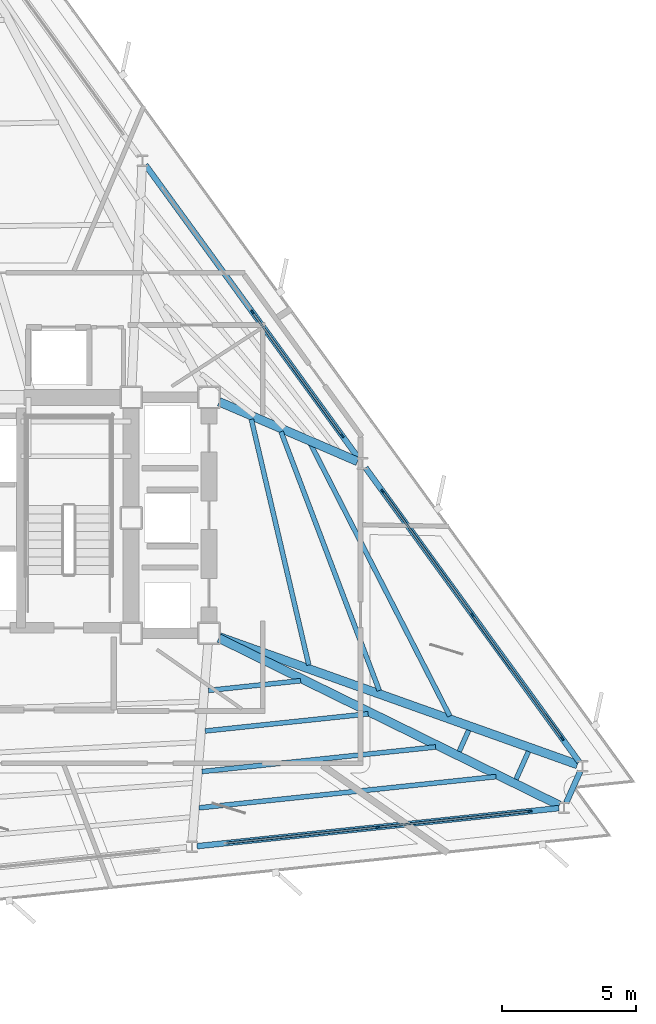
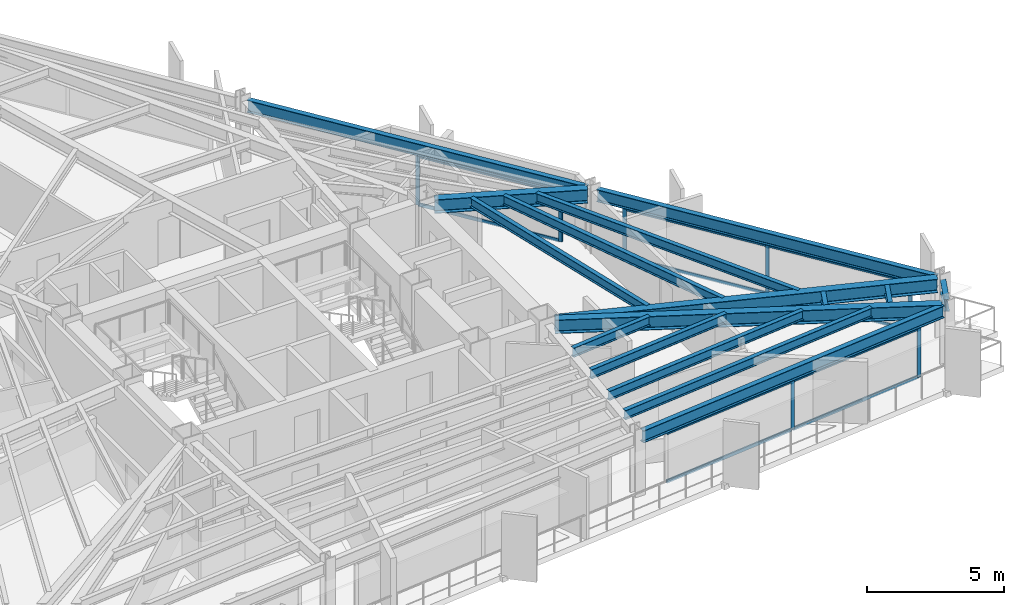
# One storey, part 5 of 12: 17 members, 16 beams, 3 elements without a shape of their own.
"""IFC4 building model written with IfcOpenShell, lengths in metres."""

from ifc_helpers import new_model, si_unit, direction, frame, origin, origin_2d, place, context, subcontext, project, spatial, rectangle, i_section, extrude, material, layer, layer_set, material_profile, profile_set, type_object, element, aggregate, save


model = new_model("IFC4")

# Units and contexts
model_context = context("Model", 3, precision=1e-05, world=origin(), true_north=direction((0.0, 1.0)))
body_context = subcontext(model_context, "Body", "Model", "MODEL_VIEW")
ifc_project = project(units=[si_unit("LENGTHUNIT", "METRE"), si_unit("AREAUNIT", "SQUARE_METRE"), si_unit("VOLUMEUNIT", "CUBIC_METRE"), si_unit("PLANEANGLEUNIT", "RADIAN"), si_unit("MASSUNIT", "GRAM", prefix="KILO")], contexts=[model_context])

# Site, building, storey
site_placement = place(None, origin())
site = spatial("IfcSite", under=ifc_project, at=site_placement, CompositionType="ELEMENT")
building_placement = place(site_placement, origin())
building = spatial("IfcBuilding", under=site, at=building_placement, Name="Rocaltana Carrier Exchange", CompositionType="ELEMENT")
storey_placement = place(building_placement, frame((0.0, 0.0, 113.760009765625)))
storey = spatial("IfcBuildingStorey", under=building, at=storey_placement, Name="L35", CompositionType="ELEMENT", Elevation=113.760009765625)

# Curtain wall, members
ifc_material_1 = material(Name="Aluminium 6063-T6", Category="aluminium")
ifc_layer = layer(ifc_material_1, 0.14990234375)
ifc_layer_set = layer_set([ifc_layer], Name="Aluminium 6063-T6")
curtain_wall_type = type_object("IfcCurtainWallType", Name="Mid-Tower Unitised Curtain Wall CW-03", PredefinedType="NOTDEFINED", material=ifc_layer_set)
curtain_wall_1_placement = place(storey_placement, origin())
curtain_wall_1 = element("IfcCurtainWall", 1, at=curtain_wall_1_placement, inside=storey, type_object=curtain_wall_type, Name="L35 CW-03 Run CW-L35-F1S1", PredefinedType="NOTDEFINED")
ifc_material_2 = material(Name="Aluminium 6063-T6", Category="aluminium")
ifc_material_profile_1 = material_profile(ifc_material_2, rectangle(XDim=0.06005859375, YDim=0.14990234375, at=origin_2d()), Name="AL-60X150")
ifc_profile_set_1 = profile_set([ifc_material_profile_1], Name="Aluminium 6063-T6")
member_type_1 = type_object("IfcMemberType", Name="CW-03 Mullion AL-60X150", PredefinedType="MULLION", material=ifc_profile_set_1)
member_1_placement = place(storey_placement, frame((22.13427734375, -8.23193359375, 0.0), z_axis=(0.0, 0.0, 1.0), x_axis=(-0.809013555195, -0.587789985889, 0.0)))
member_1 = element("IfcMember", 2, at=member_1_placement, type_object=member_type_1, Name="CW-03 mullion 1", PredefinedType="MULLION", context=body_context, shape_type="SweptSolid", body=[
    extrude(rectangle(XDim=0.06005859375, YDim=0.14990234375, at=origin_2d()), origin(), (0.0, 0.0, 1.0), 2.218017578125),
])
member_2_placement = place(storey_placement, frame((18.781982421875, -3.617919921875, 0.0), z_axis=(0.0, 0.0, 1.0), x_axis=(-0.809013555195, -0.587789985889, 0.0)))
member_2 = element("IfcMember", 3, at=member_2_placement, type_object=member_type_1, Name="CW-03 mullion 2", PredefinedType="MULLION", context=body_context, shape_type="SweptSolid", body=[
    extrude(rectangle(XDim=0.06005859375, YDim=0.14990234375, at=origin_2d()), origin(), (0.0, 0.0, 1.0), 2.218017578125),
])
member_3_placement = place(storey_placement, frame((15.429443359375, 0.99609375, 0.0), z_axis=(0.0, 0.0, 1.0), x_axis=(-0.809013555195, -0.587789985889, 0.0)))
member_3 = element("IfcMember", 4, at=member_3_placement, type_object=member_type_1, Name="CW-03 mullion 3", PredefinedType="MULLION", context=body_context, shape_type="SweptSolid", body=[
    extrude(rectangle(XDim=0.06005859375, YDim=0.14990234375, at=origin_2d()), origin(), (0.0, 0.0, 1.0), 2.218017578125),
])

curtain_wall_2_placement = place(storey_placement, origin())
curtain_wall_2 = element("IfcCurtainWall", 5, at=curtain_wall_2_placement, inside=storey, type_object=curtain_wall_type, Name="L35 CW-03 Run CW-L35-F1S2", PredefinedType="NOTDEFINED")
member_4_placement = place(storey_placement, frame((13.9248046875, 3.0673828125, 0.0), z_axis=(0.0, 0.0, 1.0), x_axis=(-0.809013555195, -0.587789985889, 0.0)))
member_4 = element("IfcMember", 6, at=member_4_placement, type_object=member_type_1, Name="CW-03 mullion 1", PredefinedType="MULLION", context=body_context, shape_type="SweptSolid", body=[
    extrude(rectangle(XDim=0.06005859375, YDim=0.14990234375, at=origin_2d()), origin(), (0.0, 0.0, 1.0), 2.218017578125),
])
member_5_placement = place(storey_placement, frame((10.572509765625, 7.681396484375, 0.0), z_axis=(0.0, 0.0, 1.0), x_axis=(-0.809013555195, -0.587789985889, 0.0)))
member_5 = element("IfcMember", 7, at=member_5_placement, type_object=member_type_1, Name="CW-03 mullion 2", PredefinedType="MULLION", context=body_context, shape_type="SweptSolid", body=[
    extrude(rectangle(XDim=0.06005859375, YDim=0.14990234375, at=origin_2d()), origin(), (0.0, 0.0, 1.0), 2.218017578125),
])

curtain_wall_3_placement = place(storey_placement, origin())
curtain_wall_3 = element("IfcCurtainWall", 8, at=curtain_wall_3_placement, inside=storey, type_object=curtain_wall_type, Name="L35 CW-03 Run CW-L35-F3S3", PredefinedType="NOTDEFINED")
member_6_placement = place(storey_placement, frame((15.256103515625, -11.536865234375, 0.0), z_axis=(0.0, 0.0, 1.0), x_axis=(-0.104521806959, 0.994522594952, 0.0)))
member_6 = element("IfcMember", 9, at=member_6_placement, type_object=member_type_1, Name="CW-03 mullion 2", PredefinedType="MULLION", context=body_context, shape_type="SweptSolid", body=[
    extrude(rectangle(XDim=0.06005859375, YDim=0.14990234375, at=origin_2d()), origin(), (0.0, 0.0, 1.0), 2.218017578125),
])
member_7_placement = place(storey_placement, frame((20.92822265625, -10.940673828125, 0.0), z_axis=(0.0, 0.0, 1.0), x_axis=(-0.104521806959, 0.994522594952, 0.0)))
member_7 = element("IfcMember", 10, at=member_7_placement, type_object=member_type_1, Name="CW-03 mullion 3", PredefinedType="MULLION", context=body_context, shape_type="SweptSolid", body=[
    extrude(rectangle(XDim=0.06005859375, YDim=0.14990234375, at=origin_2d()), origin(), (0.0, 0.0, 1.0), 2.218017578125),
])

# Member
ifc_material_3 = material(Name="Aluminium 6063-T6", Category="aluminium")
ifc_material_profile_2 = material_profile(ifc_material_3, rectangle(XDim=0.06005859375, YDim=0.14990234375, at=origin_2d()), Name="AL-60X150")
ifc_profile_set_2 = profile_set([ifc_material_profile_2], Name="Aluminium 6063-T6")
member_type_2 = type_object("IfcMemberType", Name="CW-03 Transom AL-60X150", PredefinedType="USERDEFINED", material=ifc_profile_set_2)
member_8_placement = place(storey_placement, frame((22.11669921875, -8.207763671875, 0.030029296875), z_axis=(-0.587803791035, 0.809003524866, 0.0), x_axis=(-0.809003524866, -0.587803791035, 0.0)))
member_8 = element("IfcMember", 11, at=member_8_placement, type_object=member_type_2, Name="CW-03 transom 1.1", ObjectType="TRANSOM", PredefinedType="USERDEFINED", context=body_context, shape_type="SweptSolid", body=[
    extrude(rectangle(XDim=0.06005859375, YDim=0.14990234375, at=origin_2d()), origin(), (0.0, 0.0, 1.0), 5.643310546875),
])

member_9_placement = place(storey_placement, frame((22.11669921875, -8.207763671875, 2.18798828125), z_axis=(-0.587803791035, 0.809003524866, 0.0), x_axis=(-0.809003524866, -0.587803791035, 0.0)))
member_9 = element("IfcMember", 12, at=member_9_placement, type_object=member_type_2, Name="CW-03 transom 1.2", ObjectType="TRANSOM", PredefinedType="USERDEFINED", context=body_context, shape_type="SweptSolid", body=[
    extrude(rectangle(XDim=0.06005859375, YDim=0.14990234375, at=origin_2d()), origin(), (0.0, 0.0, 1.0), 5.643310546875),
])

member_10_placement = place(storey_placement, frame((18.76416015625, -3.59375, 0.030029296875), z_axis=(-0.587754903167, 0.809039043436, 0.0), x_axis=(-0.809039043436, -0.587754903167, 0.0)))
member_10 = element("IfcMember", 13, at=member_10_placement, type_object=member_type_2, Name="CW-03 transom 2.1", ObjectType="TRANSOM", PredefinedType="USERDEFINED", context=body_context, shape_type="SweptSolid", body=[
    extrude(rectangle(XDim=0.06005859375, YDim=0.14990234375, at=origin_2d()), origin(), (0.0, 0.0, 1.0), 5.643310546875),
])

member_11_placement = place(storey_placement, frame((18.76416015625, -3.59375, 2.18798828125), z_axis=(-0.587754903167, 0.809039043436, 0.0), x_axis=(-0.809039043436, -0.587754903167, 0.0)))
member_11 = element("IfcMember", 14, at=member_11_placement, type_object=member_type_2, Name="CW-03 transom 2.2", ObjectType="TRANSOM", PredefinedType="USERDEFINED", context=body_context, shape_type="SweptSolid", body=[
    extrude(rectangle(XDim=0.06005859375, YDim=0.14990234375, at=origin_2d()), origin(), (0.0, 0.0, 1.0), 5.643310546875),
])

aggregate(curtain_wall_1, [member_1, member_2, member_3, member_8, member_9, member_10, member_11])

member_12_placement = place(storey_placement, frame((13.9072265625, 3.091552734375, 0.030029296875), z_axis=(-0.587803791035, 0.809003524866, 0.0), x_axis=(-0.809003524866, -0.587803791035, 0.0)))
member_12 = element("IfcMember", 15, at=member_12_placement, type_object=member_type_2, Name="CW-03 transom 1.1", ObjectType="TRANSOM", PredefinedType="USERDEFINED", context=body_context, shape_type="SweptSolid", body=[
    extrude(rectangle(XDim=0.06005859375, YDim=0.14990234375, at=origin_2d()), origin(), (0.0, 0.0, 1.0), 5.643310546875),
])

member_13_placement = place(storey_placement, frame((13.9072265625, 3.091552734375, 2.18798828125), z_axis=(-0.587803791035, 0.809003524866, 0.0), x_axis=(-0.809003524866, -0.587803791035, 0.0)))
member_13 = element("IfcMember", 16, at=member_13_placement, type_object=member_type_2, Name="CW-03 transom 1.2", ObjectType="TRANSOM", PredefinedType="USERDEFINED", context=body_context, shape_type="SweptSolid", body=[
    extrude(rectangle(XDim=0.06005859375, YDim=0.14990234375, at=origin_2d()), origin(), (0.0, 0.0, 1.0), 5.643310546875),
])

aggregate(curtain_wall_2, [member_4, member_5, member_12, member_13])

member_14_placement = place(storey_placement, frame((9.614013671875, -12.129638671875, 0.030029296875), z_axis=(0.99452250772, 0.104522636969, 0.0), x_axis=(-0.104522636969, 0.99452250772, 0.0)))
member_14 = element("IfcMember", 17, at=member_14_placement, type_object=member_type_2, Name="CW-03 transom 1.1", ObjectType="TRANSOM", PredefinedType="USERDEFINED", context=body_context, shape_type="SweptSolid", body=[
    extrude(rectangle(XDim=0.06005859375, YDim=0.14990234375, at=origin_2d()), origin(), (0.0, 0.0, 1.0), 5.643310546875),
])

member_15_placement = place(storey_placement, frame((9.614013671875, -12.129638671875, 2.18798828125), z_axis=(0.99452250772, 0.104522636969, 0.0), x_axis=(-0.104522636969, 0.99452250772, 0.0)))
member_15 = element("IfcMember", 18, at=member_15_placement, type_object=member_type_2, Name="CW-03 transom 1.2", ObjectType="TRANSOM", PredefinedType="USERDEFINED", context=body_context, shape_type="SweptSolid", body=[
    extrude(rectangle(XDim=0.06005859375, YDim=0.14990234375, at=origin_2d()), origin(), (0.0, 0.0, 1.0), 5.643310546875),
])

member_16_placement = place(storey_placement, frame((15.285888671875, -11.53369140625, 0.030029296875), z_axis=(0.994522980333, 0.104518140001, 0.0), x_axis=(-0.104518140001, 0.994522980333, 0.0)))
member_16 = element("IfcMember", 19, at=member_16_placement, type_object=member_type_2, Name="CW-03 transom 2.1", ObjectType="TRANSOM", PredefinedType="USERDEFINED", context=body_context, shape_type="SweptSolid", body=[
    extrude(rectangle(XDim=0.06005859375, YDim=0.14990234375, at=origin_2d()), origin(), (0.0, 0.0, 1.0), 5.6435546875),
])

member_17_placement = place(storey_placement, frame((15.285888671875, -11.53369140625, 2.18798828125), z_axis=(0.994522980333, 0.104518140001, 0.0), x_axis=(-0.104518140001, 0.994522980333, 0.0)))
member_17 = element("IfcMember", 20, at=member_17_placement, type_object=member_type_2, Name="CW-03 transom 2.2", ObjectType="TRANSOM", PredefinedType="USERDEFINED", context=body_context, shape_type="SweptSolid", body=[
    extrude(rectangle(XDim=0.06005859375, YDim=0.14990234375, at=origin_2d()), origin(), (0.0, 0.0, 1.0), 5.6435546875),
])

aggregate(curtain_wall_3, [member_6, member_7, member_14, member_15, member_16, member_17])

# Beams
ifc_material_4 = material(Name="Steel S355", Category="steel")
ifc_material_profile_3 = material_profile(ifc_material_4, i_section(OverallWidth=0.179931640625, OverallDepth=0.4130859375, WebThickness=0.009765625, FlangeThickness=0.01611328125, FilletRadius=0.012939453125, at=origin_2d()), Name="W16X50")
ifc_profile_set_3 = profile_set([ifc_material_profile_3], Name="Steel S355")
beam_type_1 = type_object("IfcBeamType", Name="Floor Joist W16X50", PredefinedType="JOIST", material=ifc_profile_set_3)
beam_1_placement = place(storey_placement, frame((12.67724609375, -5.489501953125, 2.58154296875), z_axis=(-0.227766297883, 0.973715827924, 0.0), x_axis=(-0.973715827924, -0.227766297883, 0.0)))
element("IfcBeam", 21, at=beam_1_placement, inside=storey, type_object=beam_type_1, Name="FJ-L35-01-1", PredefinedType="JOIST", context=body_context, shape_type="SweptSolid", body=[
    extrude(i_section(OverallWidth=0.179931640625, OverallDepth=0.4130859375, WebThickness=0.009765625, FlangeThickness=0.01611328125, FilletRadius=0.012939453125, at=origin_2d()), origin(), (0.0, 0.0, 1.0), 9.418701171875),
])
beam_2_placement = place(storey_placement, frame((15.305419921875, -6.439208984375, 2.58154296875), z_axis=(-0.35483732757, 0.934928056571, 0.0), x_axis=(-0.934928056571, -0.35483732757, 0.0)))
element("IfcBeam", 22, at=beam_2_placement, inside=storey, type_object=beam_type_1, Name="FJ-L35-01-2", PredefinedType="JOIST", context=body_context, shape_type="SweptSolid", body=[
    extrude(i_section(OverallWidth=0.179931640625, OverallDepth=0.4130859375, WebThickness=0.009765625, FlangeThickness=0.01611328125, FilletRadius=0.012939453125, at=origin_2d()), origin(), (0.0, 0.0, 1.0), 10.330078125),
])
beam_3_placement = place(storey_placement, frame((17.937744140625, -7.39013671875, 2.58154296875), z_axis=(-0.455649490969, 0.890159278657, 0.0), x_axis=(-0.890159278657, -0.455649490969, 0.0)))
element("IfcBeam", 23, at=beam_3_placement, inside=storey, type_object=beam_type_1, Name="FJ-L35-01-3", PredefinedType="JOIST", context=body_context, shape_type="SweptSolid", body=[
    extrude(i_section(OverallWidth=0.179931640625, OverallDepth=0.4130859375, WebThickness=0.009765625, FlangeThickness=0.01611328125, FilletRadius=0.012939453125, at=origin_2d()), origin(), (0.0, 0.0, 1.0), 11.398681640625),
])
beam_4_placement = place(storey_placement, frame((8.9326171875, -6.434814453125, 2.58154296875), z_axis=(0.994514730504, 0.104596609936, 0.0), x_axis=(-0.104596609936, 0.994514730504, 0.0)))
element("IfcBeam", 24, at=beam_4_placement, inside=storey, type_object=beam_type_1, Name="FJ-L35-11-1", PredefinedType="JOIST", context=body_context, shape_type="SweptSolid", body=[
    extrude(i_section(OverallWidth=0.179931640625, OverallDepth=0.4130859375, WebThickness=0.009765625, FlangeThickness=0.01611328125, FilletRadius=0.012939453125, at=origin_2d()), origin(), (0.0, 0.0, 1.0), 3.459228515625),
])
beam_5_placement = place(storey_placement, frame((8.811279296875, -7.948486328125, 2.58154296875), z_axis=(0.994518139026, 0.104564196304, 0.0), x_axis=(-0.104564196304, 0.994518139026, 0.0)))
element("IfcBeam", 25, at=beam_5_placement, inside=storey, type_object=beam_type_1, Name="FJ-L35-11-2", PredefinedType="JOIST", context=body_context, shape_type="SweptSolid", body=[
    extrude(i_section(OverallWidth=0.179931640625, OverallDepth=0.4130859375, WebThickness=0.009765625, FlangeThickness=0.01611328125, FilletRadius=0.012939453125, at=origin_2d()), origin(), (0.0, 0.0, 1.0), 6.112548828125),
])
beam_6_placement = place(storey_placement, frame((8.68994140625, -9.4619140625, 2.58154296875), z_axis=(0.994522683524, 0.104520964191, 0.0), x_axis=(-0.104520964191, 0.994522683524, 0.0)))
element("IfcBeam", 26, at=beam_6_placement, inside=storey, type_object=beam_type_1, Name="FJ-L35-11-3", PredefinedType="JOIST", context=body_context, shape_type="SweptSolid", body=[
    extrude(i_section(OverallWidth=0.179931640625, OverallDepth=0.4130859375, WebThickness=0.009765625, FlangeThickness=0.01611328125, FilletRadius=0.012939453125, at=origin_2d()), origin(), (0.0, 0.0, 1.0), 8.766357421875),
])
beam_7_placement = place(storey_placement, frame((8.581298828125, -10.81640625, 2.58154296875), z_axis=(0.994521531783, 0.104531922494, 0.0), x_axis=(-0.104531922494, 0.994521531783, 0.0)))
element("IfcBeam", 27, at=beam_7_placement, inside=storey, type_object=beam_type_1, Name="FJ-L35-11-4", PredefinedType="JOIST", context=body_context, shape_type="SweptSolid", body=[
    extrude(i_section(OverallWidth=0.179931640625, OverallDepth=0.4130859375, WebThickness=0.009765625, FlangeThickness=0.01611328125, FilletRadius=0.012939453125, at=origin_2d()), origin(), (0.0, 0.0, 1.0), 11.140625),
])
beam_8_placement = place(storey_placement, frame((18.289306640625, -8.71240234375, 2.58154296875), z_axis=(0.406686773762, 0.913567659261, 0.0), x_axis=(-0.913567659261, 0.406686773762, 0.0)))
element("IfcBeam", 28, at=beam_8_placement, inside=storey, type_object=beam_type_1, Name="FJ-L35-12-3", PredefinedType="JOIST", context=body_context, shape_type="SweptSolid", body=[
    extrude(i_section(OverallWidth=0.179931640625, OverallDepth=0.4130859375, WebThickness=0.009765625, FlangeThickness=0.01611328125, FilletRadius=0.012939453125, at=origin_2d()), origin(), (0.0, 0.0, 1.0), 0.867431640625),
])
beam_9_placement = place(storey_placement, frame((20.409423828125, -9.75341796875, 2.58154296875), z_axis=(0.40683553357, 0.913501422344, 0.0), x_axis=(-0.913501422344, 0.40683553357, 0.0)))
element("IfcBeam", 29, at=beam_9_placement, inside=storey, type_object=beam_type_1, Name="FJ-L35-12-4", PredefinedType="JOIST", context=body_context, shape_type="SweptSolid", body=[
    extrude(i_section(OverallWidth=0.179931640625, OverallDepth=0.4130859375, WebThickness=0.009765625, FlangeThickness=0.01611328125, FilletRadius=0.012939453125, at=origin_2d()), origin(), (0.0, 0.0, 1.0), 1.13720703125),
])
ifc_material_5 = material(Name="Steel S355", Category="steel")
ifc_material_profile_4 = material_profile(ifc_material_5, i_section(OverallWidth=0.323974609375, OverallDepth=0.611083984375, WebThickness=0.0126953125, FlangeThickness=0.01904296875, FilletRadius=0.01611328125, at=origin_2d()), Name="W24X104")
ifc_profile_set_4 = profile_set([ifc_material_profile_4], Name="Steel S355")
beam_type_2 = type_object("IfcBeamType", Name="Radial Girder W24X104", PredefinedType="BEAM", material=ifc_profile_set_4)
beam_10_placement = place(storey_placement, frame((9.3427734375, -4.43994140625, 2.482421875), z_axis=(0.941948954034, -0.335756113861, 0.0), x_axis=(0.335756113861, 0.941948954034, 0.0)))
element("IfcBeam", 30, at=beam_10_placement, inside=storey, type_object=beam_type_2, Name="RG-L35-01", PredefinedType="BEAM", context=body_context, shape_type="SweptSolid", body=[
    extrude(i_section(OverallWidth=0.323974609375, OverallDepth=0.611083984375, WebThickness=0.0126953125, FlangeThickness=0.01904296875, FilletRadius=0.01611328125, at=origin_2d()), origin(), (0.0, 0.0, 1.0), 14.1806640625),
])
beam_11_placement = place(storey_placement, frame((9.3330078125, 4.3349609375, 2.482421875), z_axis=(0.918343410817, -0.395784511836, 0.0), x_axis=(0.395784511836, 0.918343410817, 0.0)))
element("IfcBeam", 31, at=beam_11_placement, inside=storey, type_object=beam_type_2, Name="RG-L35-02", PredefinedType="BEAM", context=body_context, shape_type="SweptSolid", body=[
    extrude(i_section(OverallWidth=0.323974609375, OverallDepth=0.611083984375, WebThickness=0.0126953125, FlangeThickness=0.01904296875, FilletRadius=0.01611328125, at=origin_2d()), origin(), (0.0, 0.0, 1.0), 5.621337890625),
])
beam_12_placement = place(storey_placement, frame((9.32421875, -4.48388671875, 2.482421875), z_axis=(0.897627517293, -0.440754852722, 0.0), x_axis=(0.440754852722, 0.897627517293, 0.0)))
element("IfcBeam", 32, at=beam_12_placement, inside=storey, type_object=beam_type_2, Name="RG-L35-12", PredefinedType="BEAM", context=body_context, shape_type="SweptSolid", body=[
    extrude(i_section(OverallWidth=0.323974609375, OverallDepth=0.611083984375, WebThickness=0.0126953125, FlangeThickness=0.01904296875, FilletRadius=0.01611328125, at=origin_2d()), origin(), (0.0, 0.0, 1.0), 14.1474609375),
])
ifc_material_6 = material(Name="Steel S355", Category="steel")
ifc_material_profile_5 = material_profile(ifc_material_6, i_section(OverallWidth=0.2119140625, OverallDepth=0.5439453125, WebThickness=0.01318359375, FlangeThickness=0.021240234375, FilletRadius=0.014892578125, at=origin_2d()), Name="W21X83")
ifc_profile_set_5 = profile_set([ifc_material_profile_5], Name="Steel S355")
beam_type_3 = type_object("IfcBeamType", Name="Spandrel Edge Beam W21X83", PredefinedType="SPANDREL", material=ifc_profile_set_5)
for number, where, z_axis, x_axis, name in (
    (33, (22.770263671875, -9.107421875, 2.515869140625), (-0.587777981524, 0.809022276847, 0.0), (-0.809022276847, -0.587777981524, 0.0), "SP-L35-01"),
    (34, (14.560791015625, 2.19189453125, 2.515869140625), (-0.587777981524, 0.809022276847, 0.0), (-0.809022276847, -0.587777981524, 0.0), "SP-L35-02"),
    (35, (8.508056640625, -12.24609375, 2.515869140625), (0.99452052486, 0.104541501962, 0.0), (-0.104541501962, 0.99452052486, 0.0), "SP-L35-11"),
):
    element("IfcBeam", number, at=place(storey_placement, frame(where, z_axis=z_axis, x_axis=x_axis)), inside=storey, type_object=beam_type_3, Name=name, PredefinedType="SPANDREL", context=body_context, shape_type="SweptSolid", body=[
        extrude(i_section(OverallWidth=0.2119140625, OverallDepth=0.5439453125, WebThickness=0.01318359375, FlangeThickness=0.021240234375, FilletRadius=0.014892578125, at=origin_2d()), origin(), (0.0, 0.0, 1.0), 13.57080078125),
    ])
beam_13_placement = place(storey_placement, frame((22.28173828125, -10.6259765625, 2.515869140625), z_axis=(0.40684129116, 0.913498858131, 0.0), x_axis=(-0.913498858131, 0.40684129116, 0.0)))
element("IfcBeam", 36, at=beam_13_placement, inside=storey, type_object=beam_type_3, Name="SP-L35-12", PredefinedType="SPANDREL", context=body_context, shape_type="SweptSolid", body=[
    extrude(i_section(OverallWidth=0.2119140625, OverallDepth=0.5439453125, WebThickness=0.01318359375, FlangeThickness=0.021240234375, FilletRadius=0.014892578125, at=origin_2d()), origin(), (0.0, 0.0, 1.0), 1.2890625),
])

save(model, "model.ifc")
